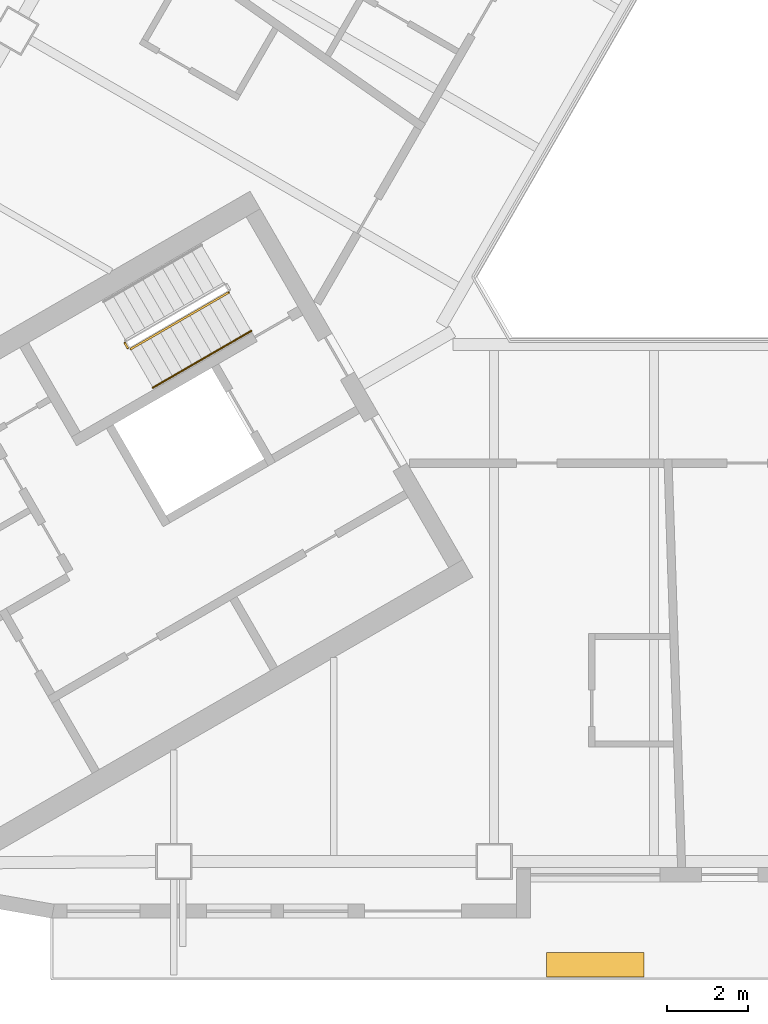
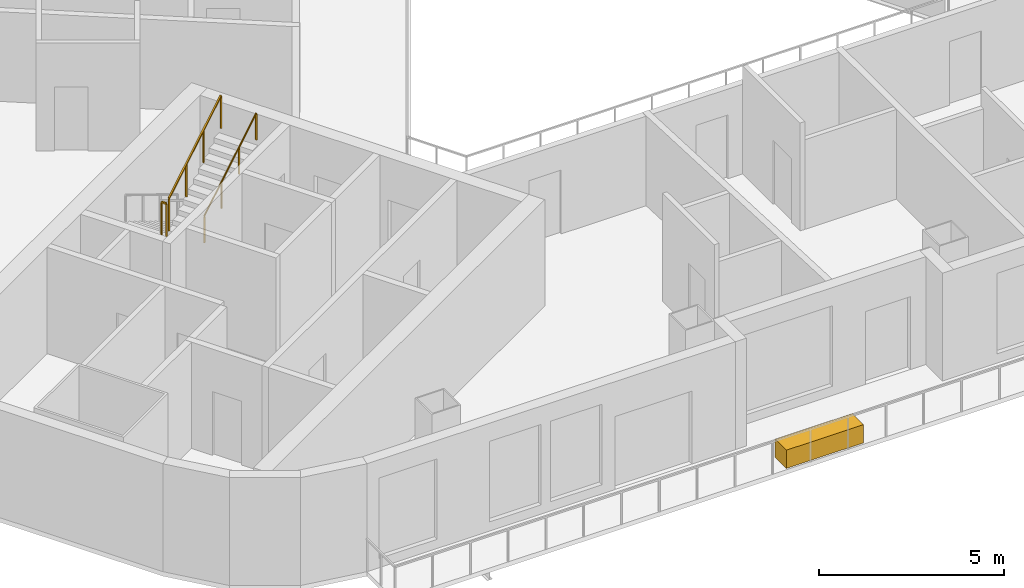
# One storey, part 8 of 13: 3 railings, 1 covering.
"""IFC4 building model written with IfcOpenShell, lengths in metres."""

from ifc_helpers import new_model, si_unit, direction, frame, origin, origin_2d, place, context, subcontext, project, spatial, rectangle, circle, extrude, material, type_object, element, save


model = new_model("IFC4")

# Units and contexts
model_context = context("Model", 3, precision=1e-05, world=origin(), true_north=direction((0.0, 1.0)))
body_context = subcontext(model_context, "Body", "Model", "MODEL_VIEW")
ifc_project = project(units=[si_unit("LENGTHUNIT", "METRE"), si_unit("AREAUNIT", "SQUARE_METRE"), si_unit("VOLUMEUNIT", "CUBIC_METRE"), si_unit("PLANEANGLEUNIT", "RADIAN"), si_unit("MASSUNIT", "GRAM", prefix="KILO")], contexts=[model_context])

# Site, building, storey
site_placement = place(None, origin())
site = spatial("IfcSite", under=ifc_project, at=site_placement, CompositionType="ELEMENT")
building_placement = place(site_placement, origin())
building = spatial("IfcBuilding", under=site, at=building_placement, Name="Apuvela Tower Hotel", CompositionType="ELEMENT")
storey_placement = place(building_placement, frame((0.0, 0.0, 94.60009765625)))
storey = spatial("IfcBuildingStorey", under=building, at=storey_placement, Name="L21", CompositionType="ELEMENT", Elevation=94.60009765625)

# Railings
ifc_material_1 = material(Name="Steel S275 balustrade", Category="steel")
railing_type_1 = type_object("IfcRailingType", Name="COR-GUARD-1100", PredefinedType="GUARDRAIL", material=ifc_material_1)
railing_1_placement = place(storey_placement, frame((-17.01220703125, -5.43408203125, 1.849853515625)))
element("IfcRailing", 1, at=railing_1_placement, inside=storey, type_object=railing_type_1, Name="L21 ST2 stair guard 2", PredefinedType="GUARDRAIL", context=body_context, shape_type="SweptSolid", body=[
    extrude(rectangle(XDim=0.048095703125, YDim=0.048095703125, at=origin_2d()), frame((0.0, 0.0, 1.076171875), z_axis=(0.499816412211, -0.866131372301, 0.0), x_axis=(0.866131372301, 0.499816412211, 0.0)), (0.0, 0.0, 1.0), 0.14990234375),
    extrude(rectangle(XDim=0.0419921875, YDim=0.0419921875, at=origin_2d()), origin(), (0.0, 0.0, 1.0), 1.052001953125),
    extrude(rectangle(XDim=0.0419921875, YDim=0.0419921875, at=origin_2d()), frame((0.074951171875, -0.1298828125, 0.0)), (0.0, 0.0, 1.0), 1.052001953125),
])
railing_2_placement = place(storey_placement, frame((-16.868896484375, -5.582275390625, 2.01806640625)))
element("IfcRailing", 2, at=railing_2_placement, inside=storey, type_object=railing_type_1, Name="L21 ST2 stair guard 3", PredefinedType="GUARDRAIL", context=body_context, shape_type="SweptSolid", body=[
    extrude(rectangle(XDim=0.048095703125, YDim=0.048095703125, at=origin_2d()), frame((0.0, 0.0, 1.076171875), z_axis=(0.742390482028, 0.42860119049, 0.514934356695), x_axis=(-0.49998411664, 0.866034573852, 0.0)), (0.0, 0.0, 1.0), 3.26611328125),
    extrude(rectangle(XDim=0.0419921875, YDim=0.0419921875, at=origin_2d()), origin(), (0.0, 0.0, 1.0), 1.052001953125),
    extrude(rectangle(XDim=0.0419921875, YDim=0.0419921875, at=origin_2d()), frame((0.808349609375, 0.466552734375, 0.560546875)), (0.0, 0.0, 1.0), 1.052001953125),
    extrude(rectangle(XDim=0.0419921875, YDim=0.0419921875, at=origin_2d()), frame((1.616455078125, 0.933349609375, 1.121337890625)), (0.0, 0.0, 1.0), 1.052001953125),
    extrude(rectangle(XDim=0.0419921875, YDim=0.0419921875, at=origin_2d()), frame((2.4248046875, 1.39990234375, 1.681884765625)), (0.0, 0.0, 1.0), 1.052001953125),
])
ifc_material_2 = material(Name="Stainless steel 316 handrail", Category="steel")
railing_type_2 = type_object("IfcRailingType", Name="COR-HANDRAIL-900", PredefinedType="HANDRAIL", material=ifc_material_2)
railing_3_placement = place(storey_placement, frame((-16.31884765625, -6.534912109375, 2.01806640625)))
element("IfcRailing", 3, at=railing_3_placement, inside=storey, type_object=railing_type_2, Name="L21 ST2 stair handrail 2", PredefinedType="HANDRAIL", context=body_context, shape_type="SweptSolid", body=[
    extrude(circle(Radius=0.02392578125, at=origin_2d()), frame((0.0, 0.0, 0.8759765625), z_axis=(0.742390482028, 0.42860119049, 0.514934356695), x_axis=(-0.49998411664, 0.866034573852, 0.0)), (0.0, 0.0, 1.0), 3.26611328125),
    extrude(rectangle(XDim=0.0419921875, YDim=0.0419921875, at=origin_2d()), origin(), (0.0, 0.0, 1.0), 0.851806640625),
    extrude(rectangle(XDim=0.0419921875, YDim=0.0419921875, at=origin_2d()), frame((0.808349609375, 0.466552734375, 0.560546875)), (0.0, 0.0, 1.0), 0.851806640625),
    extrude(rectangle(XDim=0.0419921875, YDim=0.0419921875, at=origin_2d()), frame((1.616455078125, 0.933349609375, 1.121337890625)), (0.0, 0.0, 1.0), 0.851806640625),
    extrude(rectangle(XDim=0.0419921875, YDim=0.0419921875, at=origin_2d()), frame((2.4248046875, 1.39990234375, 1.681884765625)), (0.0, 0.0, 1.0), 0.851806640625),
])

# Covering
ifc_material_3 = material(Name="Planting substrate and soil, planted")
covering_type = type_object("IfcCoveringType", Name="ENV-PLANTER-2400x600", PredefinedType="USERDEFINED", material=ifc_material_3)
covering_placement = place(storey_placement, frame((-5.399658203125, -20.780029296875, -0.000244140625), z_axis=(0.0, 0.0, 1.0), x_axis=(1.0, 0.0, 0.0)))
element("IfcCovering", 4, at=covering_placement, inside=storey, type_object=covering_type, Name="Planter S1", ObjectType="PLANTER", PredefinedType="USERDEFINED", context=body_context, shape_type="SweptSolid", body=[
    extrude(rectangle(XDim=2.39990234375, YDim=0.60009765625, at=origin_2d()), origin(), (0.0, 0.0, 1.0), 0.60009765625),
])

save(model, "model.ifc")
